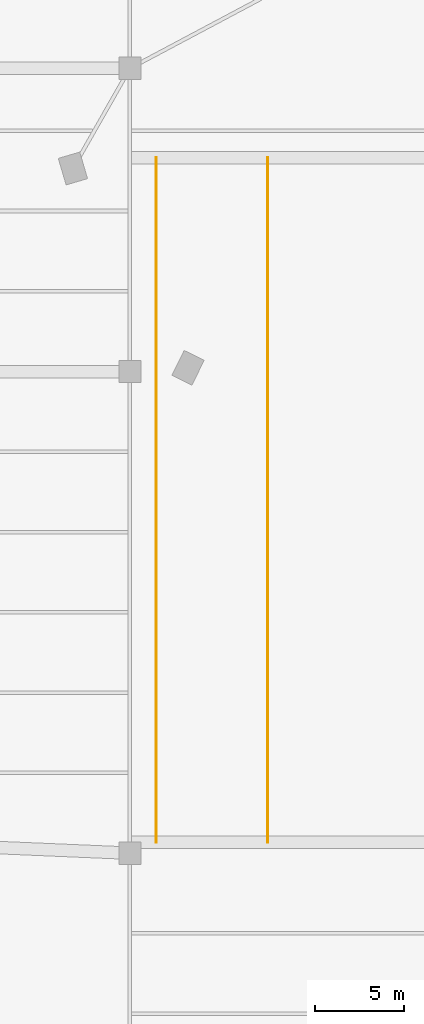
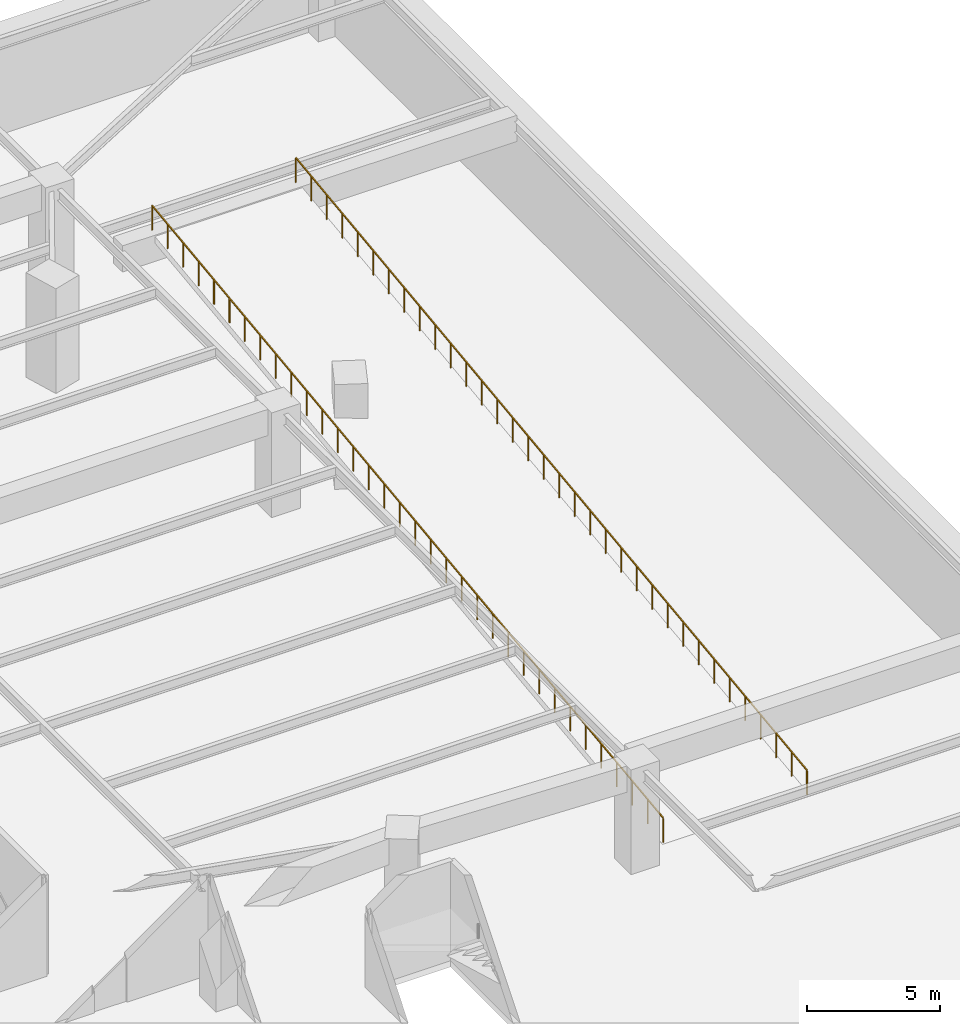
# One storey, part 20 of 20: 2 railings.
"""IFC4 building model written with IfcOpenShell, lengths in metres."""

from ifc_helpers import new_model, si_unit, direction, frame, origin, origin_2d, place, context, subcontext, project, spatial, rectangle, extrude, material, type_object, element, save


model = new_model("IFC4")

# Units and contexts
model_context = context("Model", 3, precision=1e-05, world=origin(), true_north=direction((0.0, 1.0)))
body_context = subcontext(model_context, "Body", "Model", "MODEL_VIEW")
ifc_project = project(units=[si_unit("LENGTHUNIT", "METRE"), si_unit("AREAUNIT", "SQUARE_METRE"), si_unit("VOLUMEUNIT", "CUBIC_METRE"), si_unit("PLANEANGLEUNIT", "RADIAN"), si_unit("MASSUNIT", "GRAM", prefix="KILO")], contexts=[model_context])

# Site, building, storey
site_placement = place(None, origin())
site = spatial("IfcSite", under=ifc_project, at=site_placement, CompositionType="ELEMENT")
building_placement = place(site_placement, origin())
building = spatial("IfcBuilding", under=site, at=building_placement, Name="Liaohun Quay Tower", CompositionType="ELEMENT")
storey_placement = place(building_placement, frame((0.0, 0.0, -4.800048828125)))
storey = spatial("IfcBuildingStorey", under=building, at=storey_placement, Name="B1", CompositionType="ELEMENT", Elevation=-4.800048828125)

# Railings
ifc_material = material(Name="Painted tubular steel", Category="steel")
railing_type = type_object("IfcRailingType", Name="RLG-GUARD-STR", PredefinedType="GUARDRAIL", material=ifc_material)
railing_1_placement = place(storey_placement, frame((97.47998046875, 42.60009765625, 0.0)))
element("IfcRailing", 1, at=railing_1_placement, inside=storey, type_object=railing_type, Name="B1 Upper Vehicle Ramp Sloped Guard 1", PredefinedType="GUARDRAIL", context=body_context, shape_type="SweptSolid", body=[
    extrude(rectangle(XDim=0.048095703125, YDim=0.048095703125, at=origin_2d()), frame((0.0, 0.0, 1.1259765625), z_axis=(0.0, 0.992277682597, 0.124036287512), x_axis=(-1.0, 0.0, 0.0)), (0.0, 0.0, 1.0), 38.69873046875),
    extrude(rectangle(XDim=0.0419921875, YDim=0.0419921875, at=origin_2d()), origin(), (0.0, 0.0, 1.0), 1.101806640625),
    extrude(rectangle(XDim=0.0419921875, YDim=0.0419921875, at=origin_2d()), frame((0.0, 1.16357421875, 0.1455078125)), (0.0, 0.0, 1.0), 1.101806640625),
    extrude(rectangle(XDim=0.0419921875, YDim=0.0419921875, at=origin_2d()), frame((0.0, 2.3271484375, 0.291015625)), (0.0, 0.0, 1.0), 1.101806640625),
    extrude(rectangle(XDim=0.0419921875, YDim=0.0419921875, at=origin_2d()), frame((0.0, 3.490966796875, 0.436279296875)), (0.0, 0.0, 1.0), 1.101806640625),
    extrude(rectangle(XDim=0.0419921875, YDim=0.0419921875, at=origin_2d()), frame((0.0, 4.654541015625, 0.581787109375)), (0.0, 0.0, 1.0), 1.101806640625),
    extrude(rectangle(XDim=0.0419921875, YDim=0.0419921875, at=origin_2d()), frame((0.0, 5.818115234375, 0.727294921875)), (0.0, 0.0, 1.0), 1.101806640625),
    extrude(rectangle(XDim=0.0419921875, YDim=0.0419921875, at=origin_2d()), frame((0.0, 6.981689453125, 0.872802734375)), (0.0, 0.0, 1.0), 1.101806640625),
    extrude(rectangle(XDim=0.0419921875, YDim=0.0419921875, at=origin_2d()), frame((0.0, 8.1455078125, 1.018310546875)), (0.0, 0.0, 1.0), 1.101806640625),
    extrude(rectangle(XDim=0.0419921875, YDim=0.0419921875, at=origin_2d()), frame((0.0, 9.30908203125, 1.16357421875)), (0.0, 0.0, 1.0), 1.101806640625),
    extrude(rectangle(XDim=0.0419921875, YDim=0.0419921875, at=origin_2d()), frame((0.0, 10.47265625, 1.30908203125)), (0.0, 0.0, 1.0), 1.101806640625),
    extrude(rectangle(XDim=0.0419921875, YDim=0.0419921875, at=origin_2d()), frame((0.0, 11.63623046875, 1.45458984375)), (0.0, 0.0, 1.0), 1.101806640625),
    extrude(rectangle(XDim=0.0419921875, YDim=0.0419921875, at=origin_2d()), frame((0.0, 12.800048828125, 1.60009765625)), (0.0, 0.0, 1.0), 1.101806640625),
    extrude(rectangle(XDim=0.0419921875, YDim=0.0419921875, at=origin_2d()), frame((0.0, 13.963623046875, 1.745361328125)), (0.0, 0.0, 1.0), 1.101806640625),
    extrude(rectangle(XDim=0.0419921875, YDim=0.0419921875, at=origin_2d()), frame((0.0, 15.127197265625, 1.890869140625)), (0.0, 0.0, 1.0), 1.101806640625),
    extrude(rectangle(XDim=0.0419921875, YDim=0.0419921875, at=origin_2d()), frame((0.0, 16.290771484375, 2.036376953125)), (0.0, 0.0, 1.0), 1.101806640625),
    extrude(rectangle(XDim=0.0419921875, YDim=0.0419921875, at=origin_2d()), frame((0.0, 17.45458984375, 2.181884765625)), (0.0, 0.0, 1.0), 1.101806640625),
    extrude(rectangle(XDim=0.0419921875, YDim=0.0419921875, at=origin_2d()), frame((0.0, 18.6181640625, 2.327392578125)), (0.0, 0.0, 1.0), 1.101806640625),
    extrude(rectangle(XDim=0.0419921875, YDim=0.0419921875, at=origin_2d()), frame((0.0, 19.78173828125, 2.47265625)), (0.0, 0.0, 1.0), 1.101806640625),
    extrude(rectangle(XDim=0.0419921875, YDim=0.0419921875, at=origin_2d()), frame((0.0, 20.9453125, 2.6181640625)), (0.0, 0.0, 1.0), 1.101806640625),
    extrude(rectangle(XDim=0.0419921875, YDim=0.0419921875, at=origin_2d()), frame((0.0, 22.109130859375, 2.763671875)), (0.0, 0.0, 1.0), 1.101806640625),
    extrude(rectangle(XDim=0.0419921875, YDim=0.0419921875, at=origin_2d()), frame((0.0, 23.272705078125, 2.9091796875)), (0.0, 0.0, 1.0), 1.101806640625),
    extrude(rectangle(XDim=0.0419921875, YDim=0.0419921875, at=origin_2d()), frame((0.0, 24.436279296875, 3.0546875)), (0.0, 0.0, 1.0), 1.101806640625),
    extrude(rectangle(XDim=0.0419921875, YDim=0.0419921875, at=origin_2d()), frame((0.0, 25.599853515625, 3.199951171875)), (0.0, 0.0, 1.0), 1.101806640625),
    extrude(rectangle(XDim=0.0419921875, YDim=0.0419921875, at=origin_2d()), frame((0.0, 26.763671875, 3.345458984375)), (0.0, 0.0, 1.0), 1.101806640625),
    extrude(rectangle(XDim=0.0419921875, YDim=0.0419921875, at=origin_2d()), frame((0.0, 27.92724609375, 3.490966796875)), (0.0, 0.0, 1.0), 1.101806640625),
    extrude(rectangle(XDim=0.0419921875, YDim=0.0419921875, at=origin_2d()), frame((0.0, 29.0908203125, 3.636474609375)), (0.0, 0.0, 1.0), 1.101806640625),
    extrude(rectangle(XDim=0.0419921875, YDim=0.0419921875, at=origin_2d()), frame((0.0, 30.25439453125, 3.78173828125)), (0.0, 0.0, 1.0), 1.101806640625),
    extrude(rectangle(XDim=0.0419921875, YDim=0.0419921875, at=origin_2d()), frame((0.0, 31.418212890625, 3.92724609375)), (0.0, 0.0, 1.0), 1.101806640625),
    extrude(rectangle(XDim=0.0419921875, YDim=0.0419921875, at=origin_2d()), frame((0.0, 32.581787109375, 4.07275390625)), (0.0, 0.0, 1.0), 1.101806640625),
    extrude(rectangle(XDim=0.0419921875, YDim=0.0419921875, at=origin_2d()), frame((0.0, 33.745361328125, 4.21826171875)), (0.0, 0.0, 1.0), 1.101806640625),
    extrude(rectangle(XDim=0.0419921875, YDim=0.0419921875, at=origin_2d()), frame((0.0, 34.908935546875, 4.36376953125)), (0.0, 0.0, 1.0), 1.101806640625),
    extrude(rectangle(XDim=0.0419921875, YDim=0.0419921875, at=origin_2d()), frame((0.0, 36.07275390625, 4.509033203125)), (0.0, 0.0, 1.0), 1.101806640625),
    extrude(rectangle(XDim=0.0419921875, YDim=0.0419921875, at=origin_2d()), frame((0.0, 37.236328125, 4.654541015625)), (0.0, 0.0, 1.0), 1.101806640625),
    extrude(rectangle(XDim=0.0419921875, YDim=0.0419921875, at=origin_2d()), frame((0.0, 38.39990234375, 4.800048828125)), (0.0, 0.0, 1.0), 1.101806640625),
])
railing_2_placement = place(storey_placement, frame((103.719970703125, 42.60009765625, 0.0)))
element("IfcRailing", 2, at=railing_2_placement, inside=storey, type_object=railing_type, Name="B1 Upper Vehicle Ramp Sloped Guard 2", PredefinedType="GUARDRAIL", context=body_context, shape_type="SweptSolid", body=[
    extrude(rectangle(XDim=0.048095703125, YDim=0.048095703125, at=origin_2d()), frame((0.0, 0.0, 1.1259765625), z_axis=(0.0, 0.992277682597, 0.124036287512), x_axis=(-1.0, 0.0, 0.0)), (0.0, 0.0, 1.0), 38.69873046875),
    extrude(rectangle(XDim=0.0419921875, YDim=0.0419921875, at=origin_2d()), origin(), (0.0, 0.0, 1.0), 1.101806640625),
    extrude(rectangle(XDim=0.0419921875, YDim=0.0419921875, at=origin_2d()), frame((0.0, 1.16357421875, 0.1455078125)), (0.0, 0.0, 1.0), 1.101806640625),
    extrude(rectangle(XDim=0.0419921875, YDim=0.0419921875, at=origin_2d()), frame((0.0, 2.3271484375, 0.291015625)), (0.0, 0.0, 1.0), 1.101806640625),
    extrude(rectangle(XDim=0.0419921875, YDim=0.0419921875, at=origin_2d()), frame((0.0, 3.490966796875, 0.436279296875)), (0.0, 0.0, 1.0), 1.101806640625),
    extrude(rectangle(XDim=0.0419921875, YDim=0.0419921875, at=origin_2d()), frame((0.0, 4.654541015625, 0.581787109375)), (0.0, 0.0, 1.0), 1.101806640625),
    extrude(rectangle(XDim=0.0419921875, YDim=0.0419921875, at=origin_2d()), frame((0.0, 5.818115234375, 0.727294921875)), (0.0, 0.0, 1.0), 1.101806640625),
    extrude(rectangle(XDim=0.0419921875, YDim=0.0419921875, at=origin_2d()), frame((0.0, 6.981689453125, 0.872802734375)), (0.0, 0.0, 1.0), 1.101806640625),
    extrude(rectangle(XDim=0.0419921875, YDim=0.0419921875, at=origin_2d()), frame((0.0, 8.1455078125, 1.018310546875)), (0.0, 0.0, 1.0), 1.101806640625),
    extrude(rectangle(XDim=0.0419921875, YDim=0.0419921875, at=origin_2d()), frame((0.0, 9.30908203125, 1.16357421875)), (0.0, 0.0, 1.0), 1.101806640625),
    extrude(rectangle(XDim=0.0419921875, YDim=0.0419921875, at=origin_2d()), frame((0.0, 10.47265625, 1.30908203125)), (0.0, 0.0, 1.0), 1.101806640625),
    extrude(rectangle(XDim=0.0419921875, YDim=0.0419921875, at=origin_2d()), frame((0.0, 11.63623046875, 1.45458984375)), (0.0, 0.0, 1.0), 1.101806640625),
    extrude(rectangle(XDim=0.0419921875, YDim=0.0419921875, at=origin_2d()), frame((0.0, 12.800048828125, 1.60009765625)), (0.0, 0.0, 1.0), 1.101806640625),
    extrude(rectangle(XDim=0.0419921875, YDim=0.0419921875, at=origin_2d()), frame((0.0, 13.963623046875, 1.745361328125)), (0.0, 0.0, 1.0), 1.101806640625),
    extrude(rectangle(XDim=0.0419921875, YDim=0.0419921875, at=origin_2d()), frame((0.0, 15.127197265625, 1.890869140625)), (0.0, 0.0, 1.0), 1.101806640625),
    extrude(rectangle(XDim=0.0419921875, YDim=0.0419921875, at=origin_2d()), frame((0.0, 16.290771484375, 2.036376953125)), (0.0, 0.0, 1.0), 1.101806640625),
    extrude(rectangle(XDim=0.0419921875, YDim=0.0419921875, at=origin_2d()), frame((0.0, 17.45458984375, 2.181884765625)), (0.0, 0.0, 1.0), 1.101806640625),
    extrude(rectangle(XDim=0.0419921875, YDim=0.0419921875, at=origin_2d()), frame((0.0, 18.6181640625, 2.327392578125)), (0.0, 0.0, 1.0), 1.101806640625),
    extrude(rectangle(XDim=0.0419921875, YDim=0.0419921875, at=origin_2d()), frame((0.0, 19.78173828125, 2.47265625)), (0.0, 0.0, 1.0), 1.101806640625),
    extrude(rectangle(XDim=0.0419921875, YDim=0.0419921875, at=origin_2d()), frame((0.0, 20.9453125, 2.6181640625)), (0.0, 0.0, 1.0), 1.101806640625),
    extrude(rectangle(XDim=0.0419921875, YDim=0.0419921875, at=origin_2d()), frame((0.0, 22.109130859375, 2.763671875)), (0.0, 0.0, 1.0), 1.101806640625),
    extrude(rectangle(XDim=0.0419921875, YDim=0.0419921875, at=origin_2d()), frame((0.0, 23.272705078125, 2.9091796875)), (0.0, 0.0, 1.0), 1.101806640625),
    extrude(rectangle(XDim=0.0419921875, YDim=0.0419921875, at=origin_2d()), frame((0.0, 24.436279296875, 3.0546875)), (0.0, 0.0, 1.0), 1.101806640625),
    extrude(rectangle(XDim=0.0419921875, YDim=0.0419921875, at=origin_2d()), frame((0.0, 25.599853515625, 3.199951171875)), (0.0, 0.0, 1.0), 1.101806640625),
    extrude(rectangle(XDim=0.0419921875, YDim=0.0419921875, at=origin_2d()), frame((0.0, 26.763671875, 3.345458984375)), (0.0, 0.0, 1.0), 1.101806640625),
    extrude(rectangle(XDim=0.0419921875, YDim=0.0419921875, at=origin_2d()), frame((0.0, 27.92724609375, 3.490966796875)), (0.0, 0.0, 1.0), 1.101806640625),
    extrude(rectangle(XDim=0.0419921875, YDim=0.0419921875, at=origin_2d()), frame((0.0, 29.0908203125, 3.636474609375)), (0.0, 0.0, 1.0), 1.101806640625),
    extrude(rectangle(XDim=0.0419921875, YDim=0.0419921875, at=origin_2d()), frame((0.0, 30.25439453125, 3.78173828125)), (0.0, 0.0, 1.0), 1.101806640625),
    extrude(rectangle(XDim=0.0419921875, YDim=0.0419921875, at=origin_2d()), frame((0.0, 31.418212890625, 3.92724609375)), (0.0, 0.0, 1.0), 1.101806640625),
    extrude(rectangle(XDim=0.0419921875, YDim=0.0419921875, at=origin_2d()), frame((0.0, 32.581787109375, 4.07275390625)), (0.0, 0.0, 1.0), 1.101806640625),
    extrude(rectangle(XDim=0.0419921875, YDim=0.0419921875, at=origin_2d()), frame((0.0, 33.745361328125, 4.21826171875)), (0.0, 0.0, 1.0), 1.101806640625),
    extrude(rectangle(XDim=0.0419921875, YDim=0.0419921875, at=origin_2d()), frame((0.0, 34.908935546875, 4.36376953125)), (0.0, 0.0, 1.0), 1.101806640625),
    extrude(rectangle(XDim=0.0419921875, YDim=0.0419921875, at=origin_2d()), frame((0.0, 36.07275390625, 4.509033203125)), (0.0, 0.0, 1.0), 1.101806640625),
    extrude(rectangle(XDim=0.0419921875, YDim=0.0419921875, at=origin_2d()), frame((0.0, 37.236328125, 4.654541015625)), (0.0, 0.0, 1.0), 1.101806640625),
    extrude(rectangle(XDim=0.0419921875, YDim=0.0419921875, at=origin_2d()), frame((0.0, 38.39990234375, 4.800048828125)), (0.0, 0.0, 1.0), 1.101806640625),
])

save(model, "model.ifc")
